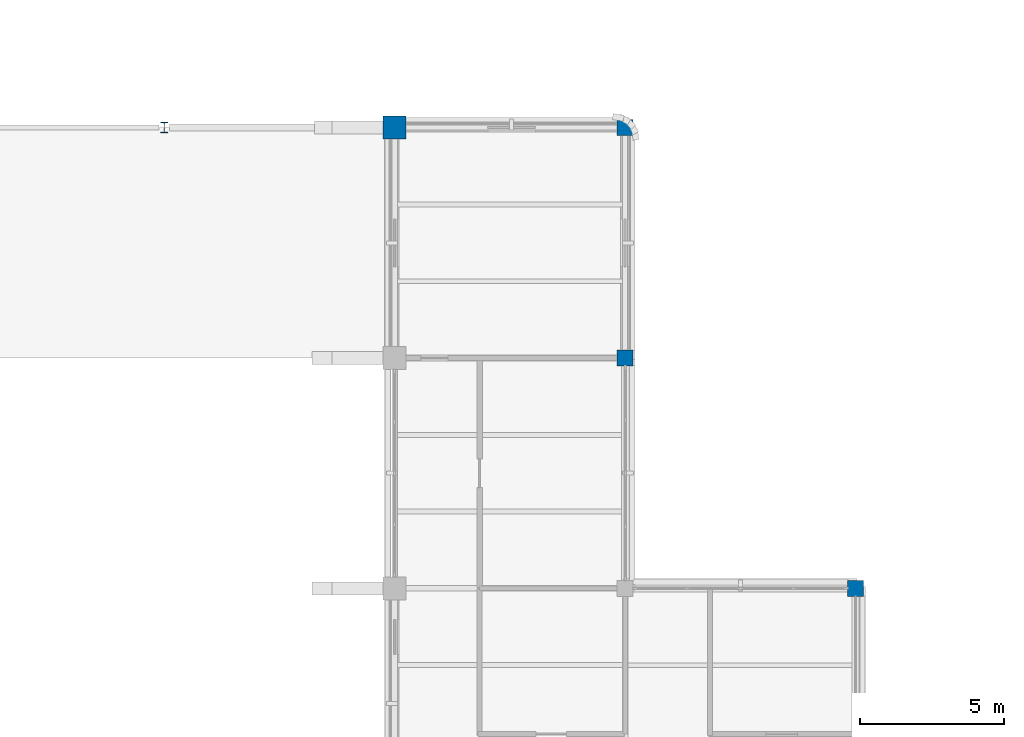
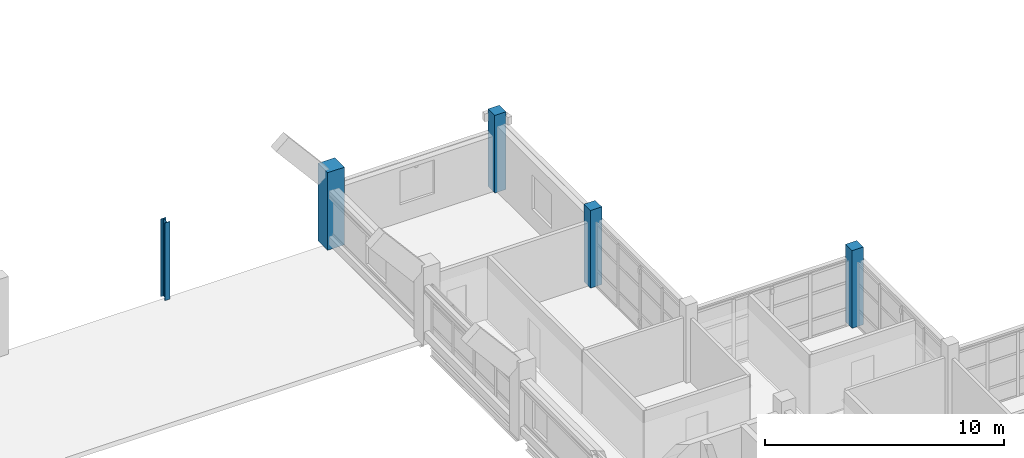
# One storey, part 5 of 92: 5 columns.
"""IFC4 building model written with IfcOpenShell, lengths in metres."""

from ifc_helpers import new_model, si_unit, derived_unit, direction, frame, origin, origin_2d, place, context, subcontext, project, spatial, rectangle, i_section, extrude, material, material_profile, profile_set, type_object, element, save


model = new_model("IFC4")

# Units and contexts
model_context = context("Model", 3, precision=1e-05, world=origin(), true_north=direction((0.0, 1.0)))
body_context = subcontext(model_context, "Body", "Model", "MODEL_VIEW")
ifc_project = project(units=[si_unit("LENGTHUNIT", "METRE"), si_unit("AREAUNIT", "SQUARE_METRE"), si_unit("VOLUMEUNIT", "CUBIC_METRE"), si_unit("PLANEANGLEUNIT", "RADIAN"), si_unit("MASSUNIT", "GRAM", prefix="KILO"), derived_unit("THERMALTRANSMITTANCEUNIT", [(si_unit("MASSUNIT", "GRAM", prefix="KILO"), 1), (si_unit("TIMEUNIT", "SECOND"), -3), (si_unit("THERMODYNAMICTEMPERATUREUNIT", "KELVIN"), -1)])], contexts=[model_context])

# Site, building, storey
site_placement = place(None, origin())
site = spatial("IfcSite", under=ifc_project, at=site_placement, CompositionType="ELEMENT")
building_placement = place(site_placement, origin())
building = spatial("IfcBuilding", under=site, at=building_placement, Name="Veyamyaing Civic Hall", CompositionType="ELEMENT")
storey_placement = place(building_placement, frame((0.0, 0.0, 17.820068359375)))
storey = spatial("IfcBuildingStorey", under=building, at=storey_placement, Name="L04", CompositionType="ELEMENT", Elevation=17.820068359375)

# Columns
ifc_material_1 = material(Name="Concrete C45/55", Category="concrete")
ifc_material_profile_1 = material_profile(ifc_material_1, rectangle(XDim=0.800048828125, YDim=0.800048828125, at=origin_2d()), Name="RC-COL-800X800")
ifc_profile_set_1 = profile_set([ifc_material_profile_1], Name="Concrete C45/55")
column_type_1 = type_object("IfcColumnType", Name="C-02", PredefinedType="COLUMN", material=ifc_profile_set_1)
column_1_placement = place(storey_placement, frame((104.0, 80.0, 0.0), z_axis=(0.0, 0.0, 1.0), x_axis=(1.0, 0.0, 0.0)))
element("IfcColumn", 1, at=column_1_placement, inside=storey, type_object=column_type_1, Name="Column C-02 14-L L04", PredefinedType="COLUMN", context=body_context, shape_type="SweptSolid", body=[
    extrude(rectangle(XDim=0.800048828125, YDim=0.800048828125, at=origin_2d()), origin(), (0.0, 0.0, 1.0), 3.9599609375),
])
ifc_material_profile_2 = material_profile(ifc_material_1, rectangle(XDim=0.550048828125, YDim=0.550048828125, at=origin_2d()), Name="RC-COL-550X550")
ifc_profile_set_2 = profile_set([ifc_material_profile_2], Name="Concrete C45/55")
column_type_2 = type_object("IfcColumnType", Name="C-07", PredefinedType="COLUMN", material=ifc_profile_set_2)
for number, where, z_axis, x_axis, name in (
    (2, (112.0, 72.0, 0.0), (0.0, 0.0, 1.0), (1.0, 0.0, 0.0), "Column C-07 15-K L04"),
    (3, (112.0, 80.0, 0.0), (0.0, 0.0, 1.0), (1.0, 0.0, 0.0), "Column C-07 15-L L04"),
    (4, (120.0, 64.0, 0.0), (0.0, 0.0, 1.0), (1.0, 0.0, 0.0), "Column C-07 16-J L04"),
):
    element("IfcColumn", number, at=place(storey_placement, frame(where, z_axis=z_axis, x_axis=x_axis)), inside=storey, type_object=column_type_2, Name=name, PredefinedType="COLUMN", context=body_context, shape_type="SweptSolid", body=[
        extrude(rectangle(XDim=0.550048828125, YDim=0.550048828125, at=origin_2d()), origin(), (0.0, 0.0, 1.0), 3.9599609375),
    ])
ifc_material_2 = material(Name="Steel S355J2", Category="steel")
ifc_material_profile_3 = material_profile(ifc_material_2, i_section(OverallWidth=0.256103515625, OverallDepth=0.360107421875, WebThickness=0.011474609375, FlangeThickness=0.02001953125, FilletRadius=0.011962890625, at=origin_2d()), Name="W360X110")
ifc_profile_set_3 = profile_set([ifc_material_profile_3], Name="Steel S355J2")
column_type_3 = type_object("IfcColumnType", Name="C-17", PredefinedType="COLUMN", material=ifc_profile_set_3)
column_2_placement = place(storey_placement, frame((96.0, 80.0, 0.0), z_axis=(0.0, 0.0, 1.0), x_axis=(1.0, 0.0, 0.0)))
element("IfcColumn", 5, at=column_2_placement, inside=storey, type_object=column_type_3, Name="Column C-17 13-L L04", PredefinedType="COLUMN", context=body_context, shape_type="SweptSolid", body=[
    extrude(i_section(OverallWidth=0.256103515625, OverallDepth=0.360107421875, WebThickness=0.011474609375, FlangeThickness=0.02001953125, FilletRadius=0.011962890625, at=origin_2d()), origin(), (0.0, 0.0, 1.0), 3.9599609375),
])

save(model, "model.ifc")
